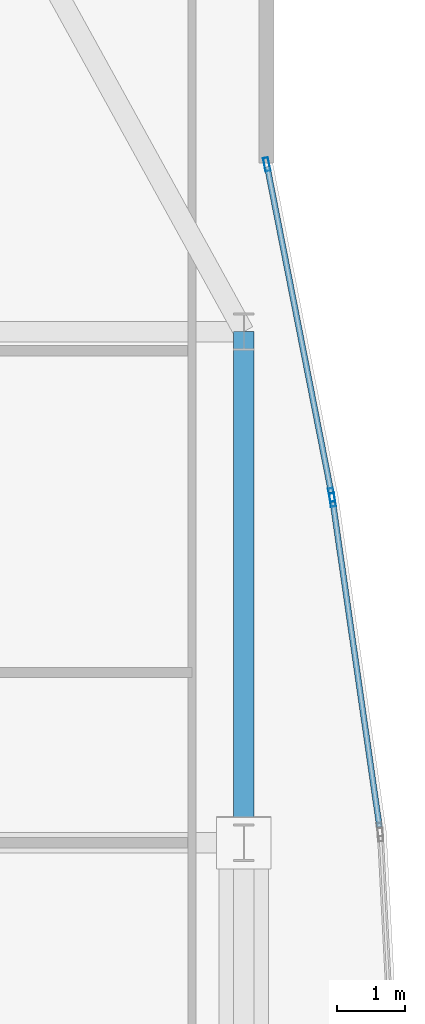
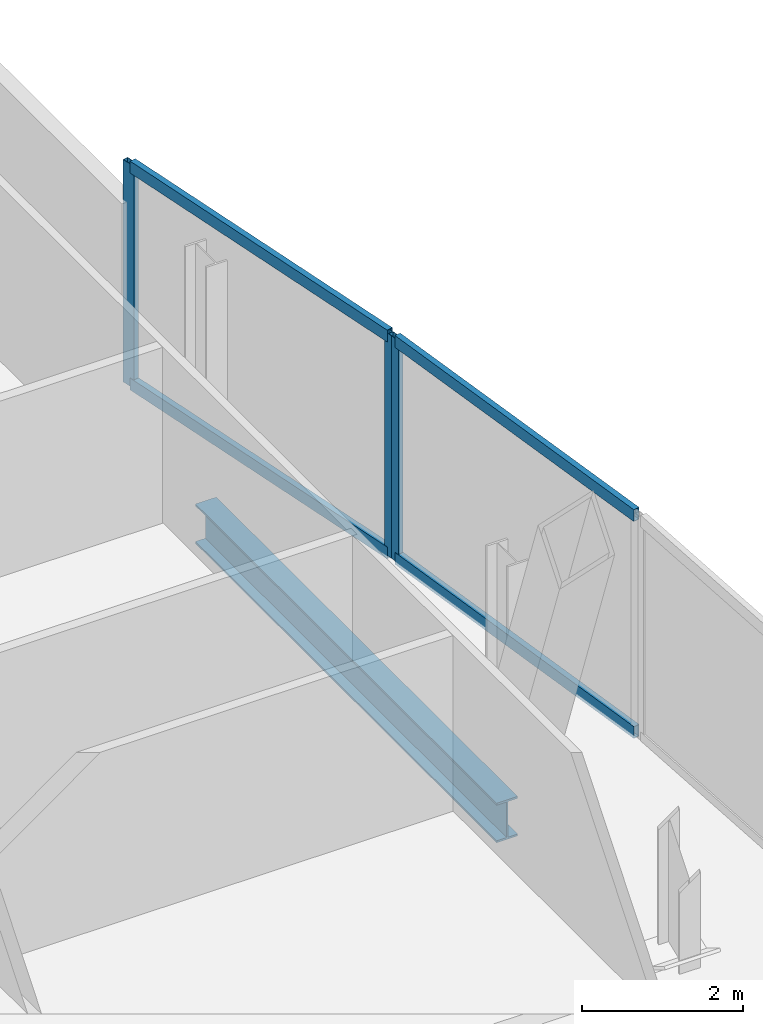
# One storey, part 24 of 31: 7 members, 1 beam, 2 elements without a shape of their own.
"""IFC4 building model written with IfcOpenShell, lengths in metres."""

from ifc_helpers import new_model, si_unit, direction, frame, origin, origin_2d, place, context, subcontext, project, spatial, hollow_rectangle, i_section, extrude, material, material_profile, profile_set, type_object, element, aggregate, save


model = new_model("IFC4")

# Units and contexts
model_context = context("Model", 3, precision=1e-05, world=origin(), true_north=direction((0.0, 1.0)))
body_context = subcontext(model_context, "Body", "Model", "MODEL_VIEW")
ifc_project = project(units=[si_unit("LENGTHUNIT", "METRE"), si_unit("AREAUNIT", "SQUARE_METRE"), si_unit("VOLUMEUNIT", "CUBIC_METRE"), si_unit("PLANEANGLEUNIT", "RADIAN"), si_unit("MASSUNIT", "GRAM", prefix="KILO")], contexts=[model_context])

# Site, building, storey
site_placement = place(None, origin())
site = spatial("IfcSite", under=ifc_project, at=site_placement, CompositionType="ELEMENT")
building_placement = place(site_placement, origin())
building = spatial("IfcBuilding", under=site, at=building_placement, Name="Khoronbel Lancet Exchange", CompositionType="ELEMENT")
storey_placement = place(building_placement, frame((0.0, 0.0, 168.60009765625)))
storey = spatial("IfcBuildingStorey", under=building, at=storey_placement, Name="L42", CompositionType="ELEMENT", Elevation=168.60009765625)

# Beam
ifc_material_1 = material(Name="Steel S355", Category="steel")
ifc_material_profile_1 = material_profile(ifc_material_1, i_section(OverallWidth=0.300048828125, OverallDepth=0.60009765625, WebThickness=0.015380859375, FlangeThickness=0.030029296875, at=origin_2d()), Name="HEB 600")
ifc_profile_set_1 = profile_set([ifc_material_profile_1], Name="Steel S355")
beam_type = type_object("IfcBeamType", Name="BM-BSP2", PredefinedType="SPANDREL", material=ifc_profile_set_1)
beam_placement = place(storey_placement, frame((67.6298828125, 35.699951171875, -0.460205078125), z_axis=(0.0, 1.0, 0.0), x_axis=(-1.0, 0.0, 0.0)))
element("IfcBeam", 1, at=beam_placement, inside=storey, type_object=beam_type, Name="Level L42 perimeter spandrel beam SP14", PredefinedType="SPANDREL", context=body_context, shape_type="SweptSolid", body=[
    extrude(i_section(OverallWidth=0.300048828125, OverallDepth=0.60009765625, WebThickness=0.015380859375, FlangeThickness=0.030029296875, at=origin_2d()), origin(), (0.0, 0.0, 1.0), 7.5),
])

# Curtain wall, members
ifc_material_2 = material(Name="Low-E Solar Control Insulating Glass", Category="glass")
curtain_wall_type = type_object("IfcCurtainWallType", Name="CW-4", PredefinedType="NOTDEFINED", material=ifc_material_2)
curtain_wall_1_placement = place(storey_placement, origin())
curtain_wall_1 = element("IfcCurtainWall", 2, at=curtain_wall_1_placement, inside=storey, type_object=curtain_wall_type, Name="Unitised curtain wall CW-L42-E17", PredefinedType="NOTDEFINED")
ifc_material_3 = material(Name="Bronze-Anodised Aluminium 6063-T6", Category="aluminium")
ifc_material_profile_2 = material_profile(ifc_material_3, hollow_rectangle(XDim=0.074951171875, YDim=0.199951171875, WallThickness=0.0048828125, at=origin_2d()), Name="ALU MULLION 75x200")
ifc_profile_set_2 = profile_set([ifc_material_profile_2], Name="Bronze-Anodised Aluminium 6063-T6")
member_type_1 = type_object("IfcMemberType", Name="MEM-CWM2", PredefinedType="MULLION", material=ifc_profile_set_2)
member_1_placement = place(storey_placement, frame((67.96728515625, 45.654296875, 0.0), z_axis=(0.0, 0.0, 1.0), x_axis=(0.981272105563, 0.192626724116, 0.0)))
member_1 = element("IfcMember", 3, at=member_1_placement, type_object=member_type_1, Name="CW4 mullion 1", PredefinedType="MULLION", context=body_context, shape_type="SweptSolid", body=[
    extrude(hollow_rectangle(XDim=0.074951171875, YDim=0.199951171875, WallThickness=0.0048828125, at=origin_2d()), origin(), (0.0, 0.0, 1.0), 3.3798828125),
])
member_2_placement = place(storey_placement, frame((68.919189453125, 40.804931640625, 0.0), z_axis=(0.0, 0.0, 1.0), x_axis=(0.981272105563, 0.192626724116, 0.0)))
member_2 = element("IfcMember", 4, at=member_2_placement, type_object=member_type_1, Name="CW4 mullion 2", PredefinedType="MULLION", context=body_context, shape_type="SweptSolid", body=[
    extrude(hollow_rectangle(XDim=0.074951171875, YDim=0.199951171875, WallThickness=0.0048828125, at=origin_2d()), origin(), (0.0, 0.0, 1.0), 3.3798828125),
])

# Curtain wall, member
curtain_wall_2_placement = place(storey_placement, origin())
curtain_wall_2 = element("IfcCurtainWall", 5, at=curtain_wall_2_placement, inside=storey, type_object=curtain_wall_type, Name="Unitised curtain wall CW-L42-E18", PredefinedType="NOTDEFINED")
member_3_placement = place(storey_placement, frame((68.931640625, 40.731201171875, 0.0), z_axis=(0.0, 0.0, 1.0), x_axis=(0.989829804459, 0.142256663132, 0.0)))
member_3 = element("IfcMember", 6, at=member_3_placement, type_object=member_type_1, Name="CW4 mullion 1", PredefinedType="MULLION", context=body_context, shape_type="SweptSolid", body=[
    extrude(hollow_rectangle(XDim=0.074951171875, YDim=0.199951171875, WallThickness=0.0048828125, at=origin_2d()), origin(), (0.0, 0.0, 1.0), 3.3798828125),
])

# Member
ifc_material_profile_3 = material_profile(ifc_material_3, hollow_rectangle(XDim=0.0849609375, YDim=0.179931640625, WallThickness=0.0048828125, at=origin_2d()), Name="ALU TRANSOM 85x180")
ifc_profile_set_3 = profile_set([ifc_material_profile_3], Name="Bronze-Anodised Aluminium 6063-T6")
member_type_2 = type_object("IfcMemberType", Name="MEM-CWT1", PredefinedType="USERDEFINED", material=ifc_profile_set_3)
member_4_placement = place(storey_placement, frame((67.974365234375, 45.61767578125, 0.04248046875), z_axis=(0.192622830998, -0.981272869786, 0.0), x_axis=(0.981272869786, 0.192622830998, 0.0)))
member_4 = element("IfcMember", 7, at=member_4_placement, type_object=member_type_2, Name="CW4 transom 1.1", ObjectType="TRANSOM", PredefinedType="USERDEFINED", context=body_context, shape_type="SweptSolid", body=[
    extrude(hollow_rectangle(XDim=0.0849609375, YDim=0.179931640625, WallThickness=0.0048828125, at=origin_2d()), origin(), (0.0, 0.0, 1.0), 4.866943359375),
])

member_5_placement = place(storey_placement, frame((67.974365234375, 45.61767578125, 3.33740234375), z_axis=(0.192622830998, -0.981272869786, 0.0), x_axis=(0.981272869786, 0.192622830998, 0.0)))
member_5 = element("IfcMember", 8, at=member_5_placement, type_object=member_type_2, Name="CW4 transom 1.2", ObjectType="TRANSOM", PredefinedType="USERDEFINED", context=body_context, shape_type="SweptSolid", body=[
    extrude(hollow_rectangle(XDim=0.0849609375, YDim=0.179931640625, WallThickness=0.0048828125, at=origin_2d()), origin(), (0.0, 0.0, 1.0), 4.866943359375),
])

aggregate(curtain_wall_1, [member_1, member_2, member_4, member_5])

member_6_placement = place(storey_placement, frame((68.93701171875, 40.69384765625, 0.04248046875), z_axis=(0.142252593383, -0.989830389348, 0.0), x_axis=(0.989830389348, 0.142252593383, 0.0)))
member_6 = element("IfcMember", 9, at=member_6_placement, type_object=member_type_2, Name="CW4 transom 1.1", ObjectType="TRANSOM", PredefinedType="USERDEFINED", context=body_context, shape_type="SweptSolid", body=[
    extrude(hollow_rectangle(XDim=0.0849609375, YDim=0.179931640625, WallThickness=0.0048828125, at=origin_2d()), origin(), (0.0, 0.0, 1.0), 4.810546875),
])

member_7_placement = place(storey_placement, frame((68.93701171875, 40.69384765625, 3.33740234375), z_axis=(0.142252593383, -0.989830389348, 0.0), x_axis=(0.989830389348, 0.142252593383, 0.0)))
member_7 = element("IfcMember", 10, at=member_7_placement, type_object=member_type_2, Name="CW4 transom 1.2", ObjectType="TRANSOM", PredefinedType="USERDEFINED", context=body_context, shape_type="SweptSolid", body=[
    extrude(hollow_rectangle(XDim=0.0849609375, YDim=0.179931640625, WallThickness=0.0048828125, at=origin_2d()), origin(), (0.0, 0.0, 1.0), 4.810546875),
])

aggregate(curtain_wall_2, [member_3, member_6, member_7])

save(model, "model.ifc")
